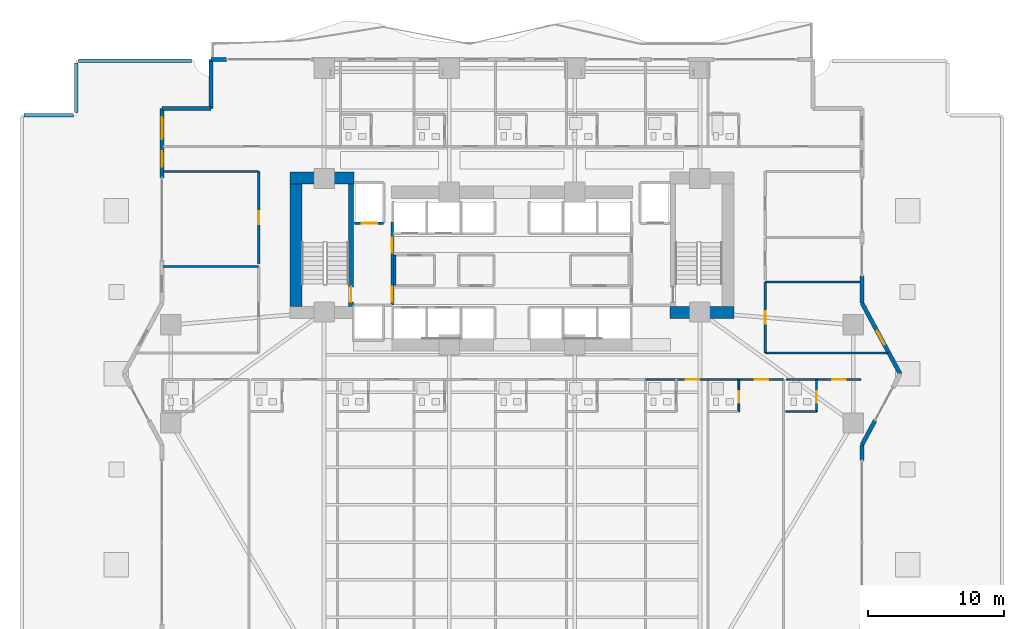
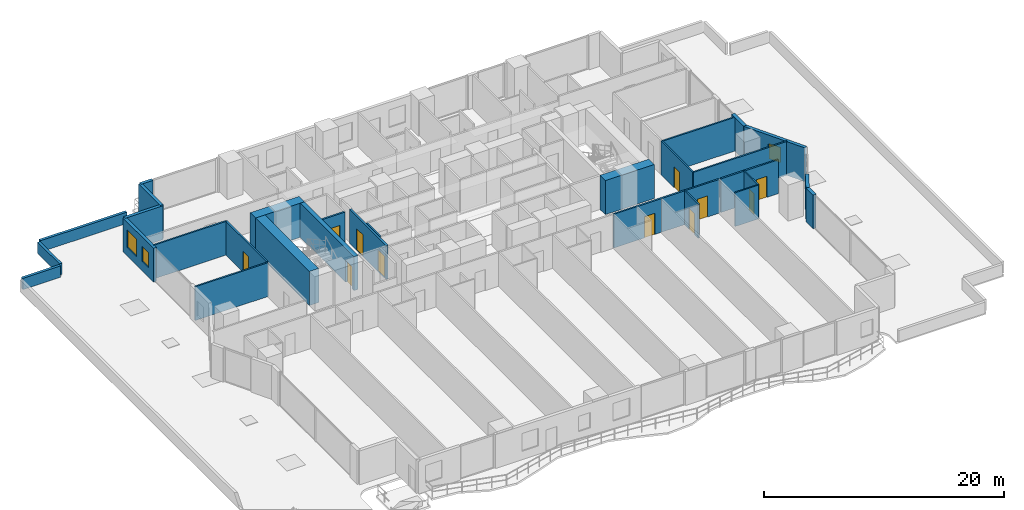
# One storey, part 22 of 30: 30 walls, 11 doors, 3 windows, 14 openings.
"""IFC4 building model written with IfcOpenShell, lengths in metres."""

from ifc_helpers import new_model, si_unit, direction, frame, frame_2d, origin, place, context, subcontext, project, spatial, rectangle, extrude, material, layer, layer_set, type_object, element, fill, save


model = new_model("IFC4")

# Units and contexts
model_context = context("Model", 3, precision=1e-05, world=origin(), true_north=direction((0.0, 1.0)))
body_context = subcontext(model_context, "Body", "Model", "MODEL_VIEW")
ifc_project = project(units=[si_unit("LENGTHUNIT", "METRE"), si_unit("AREAUNIT", "SQUARE_METRE"), si_unit("VOLUMEUNIT", "CUBIC_METRE"), si_unit("PLANEANGLEUNIT", "RADIAN"), si_unit("MASSUNIT", "GRAM", prefix="KILO")], contexts=[model_context])

# Site, building, storey
site_placement = place(None, origin())
site = spatial("IfcSite", under=ifc_project, at=site_placement, CompositionType="ELEMENT")
building_placement = place(site_placement, origin())
building = spatial("IfcBuilding", under=site, at=building_placement, Name="Zuhayl Quay Hotel", CompositionType="ELEMENT")
storey_placement = place(building_placement, frame((0.0, 0.0, 27.60009765625)))
storey = spatial("IfcBuildingStorey", under=building, at=storey_placement, Name="L05", CompositionType="ELEMENT", Elevation=27.60009765625)

# Walls
ifc_material_1 = material(Name="Concrete C70/85", Category="concrete")
ifc_layer_1 = layer(ifc_material_1, 0.89990234375, Name="Concrete C70/85", Category="concrete")
ifc_layer_set_1 = layer_set([ifc_layer_1], Name="Concrete C70/85")
wall_type_1 = type_object("IfcWallType", Name="WL_CORE_900", PredefinedType="SHEAR", material=ifc_layer_set_1)
wall_1_placement = place(storey_placement, frame((-16.31005859375, 14.3798828125, 0.0), z_axis=(0.0, 0.0, 1.0), x_axis=(1.0, 0.0, 0.0)))
element("IfcWall", 1, at=wall_1_placement, inside=storey, type_object=wall_type_1, Name="L05 Core Shear Wall CW_NW", PredefinedType="SHEAR", context=body_context, shape_type="SweptSolid", body=[
    extrude(rectangle(XDim=4.7099609375, YDim=0.89990234375, at=frame_2d((2.35498046875, 0.0))), origin(), (0.0, 0.0, 1.0), 3.4599609375),
])
wall_2_placement = place(storey_placement, frame((-15.860107421875, 4.969970703125, 0.0), z_axis=(0.0, 0.0, 1.0), x_axis=(0.0, 1.0, 0.0)))
element("IfcWall", 2, at=wall_2_placement, inside=storey, type_object=wall_type_1, Name="L05 Core Shear Wall CW_W", PredefinedType="SHEAR", context=body_context, shape_type="SweptSolid", body=[
    extrude(rectangle(XDim=8.9599609375, YDim=0.89990234375, at=frame_2d((4.47998046875, 0.0))), origin(), (0.0, 0.0, 1.0), 3.4599609375),
])
wall_3_placement = place(storey_placement, frame((11.60009765625, 4.52001953125, 0.0), z_axis=(0.0, 0.0, 1.0), x_axis=(1.0, 0.0, 0.0)))
element("IfcWall", 3, at=wall_3_placement, inside=storey, type_object=wall_type_1, Name="L05 Core Shear Wall CW_SE", PredefinedType="SHEAR", context=body_context, shape_type="SweptSolid", body=[
    extrude(rectangle(XDim=4.7099609375, YDim=0.89990234375, at=frame_2d((2.35498046875, 0.0))), origin(), (0.0, 0.0, 1.0), 3.4599609375),
])

# Wall, openings, windows
ifc_material_2 = material(Name="Precast concrete C45/55", Category="concrete")
ifc_layer_2 = layer(ifc_material_2, 0.300048828125, Name="Precast concrete C45/55", Category="concrete")
ifc_layer_set_2 = layer_set([ifc_layer_2], Name="Precast concrete C45/55")
wall_type_2 = type_object("IfcWallType", Name="WL_EXT_300", PredefinedType="STANDARD", material=ifc_layer_set_2)
wall_4_placement = place(storey_placement, frame((-25.699951171875, 14.39990234375, 0.0), z_axis=(0.0, 0.0, 1.0), x_axis=(0.0, 1.0, 0.0)))
wall_4 = element("IfcWall", 4, at=wall_4_placement, inside=storey, type_object=wall_type_2, Name="L05 Exterior Precast Wall ENV_L05_E05_EW2", PredefinedType="STANDARD", context=body_context, shape_type="SweptSolid", body=[
    extrude(rectangle(XDim=5.10009765625, YDim=0.300048828125, at=frame_2d((2.550048828125, 0.0))), origin(), (0.0, 0.0, 1.0), 3.429931640625),
])
opening_1_placement = place(wall_4_placement, frame((0.800048828125, 0.0, 0.949951171875)))
opening_1 = element("IfcOpeningElement", 5, at=opening_1_placement, cuts=wall_4, Name="Opening W01N", PredefinedType="OPENING", context=body_context, shape_type="SweptSolid", body=[
    extrude(rectangle(XDim=1.14990234375, YDim=1.550048828125, at=frame_2d((0.574951171875, 0.77490234375))), frame((0.0, 0.159912109375, 0.0), z_axis=(0.0, -1.0, 0.0), x_axis=(1.0, 0.0, 0.0)), (0.0, 0.0, 1.0), 0.320068359375),
])
opening_2_placement = place(wall_4_placement, frame((2.840087890625, 0.0, 0.85009765625)))
opening_2 = element("IfcOpeningElement", 6, at=opening_2_placement, cuts=wall_4, Name="Opening W01", PredefinedType="OPENING", context=body_context, shape_type="SweptSolid", body=[
    extrude(rectangle(XDim=1.60009765625, YDim=1.800048828125, at=frame_2d((0.800048828125, 0.89990234375))), frame((0.0, 0.159912109375, 0.0), z_axis=(0.0, -1.0, 0.0), x_axis=(1.0, 0.0, 0.0)), (0.0, 0.0, 1.0), 0.320068359375),
])
ifc_material_3 = material(Name="Dark Ceramic-Fritted Solar Glass", Category="glass")
window_type_1 = type_object("IfcWindowType", Name="WN_NOTCH_1350", PartitioningType="SINGLE_PANEL", PredefinedType="WINDOW", material=ifc_material_3)
window_1_placement = place(opening_1_placement, origin())
window_1 = element("IfcWindow", 7, at=window_1_placement, inside=storey, type_object=window_type_1, Name="L05 Operable Facade Window 2-1", OverallHeight=1.550048828125, OverallWidth=1.14990234375, PartitioningType="SINGLE_PANEL", PredefinedType="WINDOW", context=body_context, shape_type="SweptSolid", body=[
    extrude(rectangle(XDim=1.14990234375, YDim=1.550048828125, at=frame_2d((0.574951171875, 0.77490234375))), frame((0.0, 0.030029296875, 0.0), z_axis=(0.0, -1.0, 0.0), x_axis=(1.0, 0.0, 0.0)), (0.0, 0.0, 1.0), 0.06005859375),
])
fill(opening_1, window_1)
window_type_2 = type_object("IfcWindowType", Name="WN_OPERABLE_1600", PartitioningType="DOUBLE_PANEL_VERTICAL", PredefinedType="WINDOW", material=ifc_material_3)
window_2_placement = place(opening_2_placement, origin())
window_2 = element("IfcWindow", 8, at=window_2_placement, inside=storey, type_object=window_type_2, Name="L05 Operable Facade Window 2-2", OverallHeight=1.800048828125, OverallWidth=1.60009765625, PartitioningType="SINGLE_PANEL", PredefinedType="WINDOW", context=body_context, shape_type="SweptSolid", body=[
    extrude(rectangle(XDim=1.60009765625, YDim=1.800048828125, at=frame_2d((0.800048828125, 0.89990234375))), frame((0.0, 0.030029296875, 0.0), z_axis=(0.0, -1.0, 0.0), x_axis=(1.0, 0.0, 0.0)), (0.0, 0.0, 1.0), 0.06005859375),
])
fill(opening_2, window_2)

# Walls
wall_5_placement = place(storey_placement, frame((-25.699951171875, 19.5, 0.0), z_axis=(0.0, 0.0, 1.0), x_axis=(1.0, 0.0, 0.0)))
element("IfcWall", 9, at=wall_5_placement, inside=storey, type_object=wall_type_2, Name="L05 Exterior Precast Wall ENV_L05_EW06", PredefinedType="STANDARD", context=body_context, shape_type="SweptSolid", body=[
    extrude(rectangle(XDim=3.599853515625, YDim=0.300048828125, at=frame_2d((1.7998046875, 0.0))), origin(), (0.0, 0.0, 1.0), 3.429931640625),
])
wall_6_placement = place(storey_placement, frame((-22.10009765625, 19.5, 0.0), z_axis=(0.0, 0.0, 1.0), x_axis=(0.0, 1.0, 0.0)))
element("IfcWall", 10, at=wall_6_placement, inside=storey, type_object=wall_type_2, Name="L05 Exterior Precast Wall ENV_L05_EW07", PredefinedType="STANDARD", context=body_context, shape_type="SweptSolid", body=[
    extrude(rectangle(XDim=3.60009765625, YDim=0.300048828125, at=frame_2d((1.800048828125, 0.0))), origin(), (0.0, 0.0, 1.0), 3.429931640625),
])
wall_7_placement = place(storey_placement, frame((-22.10009765625, 23.10009765625, 0.0), z_axis=(0.0, 0.0, 1.0), x_axis=(1.0, 0.0, 0.0)))
element("IfcWall", 11, at=wall_7_placement, inside=storey, type_object=wall_type_2, Name="L05 Exterior Precast Wall ENV_L05_N_EW1", PredefinedType="STANDARD", context=body_context, shape_type="SweptSolid", body=[
    extrude(rectangle(XDim=1.150146484375, YDim=0.300048828125, at=frame_2d((0.5751953125, 0.0))), origin(), (0.0, 0.0, 1.0), 3.429931640625),
])
wall_8_placement = place(storey_placement, frame((25.699951171875, 7.199951171875, 0.0), z_axis=(0.0, 0.0, 1.0), x_axis=(0.0, -1.0, 0.0)))
element("IfcWall", 12, at=wall_8_placement, inside=storey, type_object=wall_type_2, Name="L05 Exterior Precast Wall ENV_L05_E11_EW3", PredefinedType="STANDARD", context=body_context, shape_type="SweptSolid", body=[
    extrude(rectangle(XDim=2.0, YDim=0.300048828125, at=frame_2d((1.0, 0.0))), origin(), (0.0, 0.0, 1.0), 3.429931640625),
])

# Wall, opening, window
wall_9_placement = place(storey_placement, frame((25.699951171875, 5.199951171875, 0.0), z_axis=(0.0, 0.0, 1.0), x_axis=(0.474109683532, -0.880465790352, 0.0)))
wall_9 = element("IfcWall", 13, at=wall_9_placement, inside=storey, type_object=wall_type_2, Name="L05 Exterior Precast Wall ENV_L05_E12_EW1", PredefinedType="STANDARD", context=body_context, shape_type="SweptSolid", body=[
    extrude(rectangle(XDim=5.906005859375, YDim=0.300048828125, at=frame_2d((2.953125, 0.0))), origin(), (0.0, 0.0, 1.0), 3.429931640625),
])
opening_3_placement = place(wall_9_placement, frame((2.32373046875, 0.0, 0.949951171875)))
opening_3 = element("IfcOpeningElement", 14, at=opening_3_placement, cuts=wall_9, Name="Opening W01N", PredefinedType="OPENING", context=body_context, shape_type="SweptSolid", body=[
    extrude(rectangle(XDim=1.14990234375, YDim=1.550048828125, at=frame_2d((0.574951171875, 0.77490234375))), frame((0.0, 0.159912109375, 0.0), z_axis=(0.0, -1.0, 0.0), x_axis=(1.0, 0.0, 0.0)), (0.0, 0.0, 1.0), 0.320068359375),
])
window_3_placement = place(opening_3_placement, origin())
window_3 = element("IfcWindow", 15, at=window_3_placement, inside=storey, type_object=window_type_1, Name="L05 Operable Facade Window 1-1", OverallHeight=1.550048828125, OverallWidth=1.14990234375, PartitioningType="SINGLE_PANEL", PredefinedType="WINDOW", context=body_context, shape_type="SweptSolid", body=[
    extrude(rectangle(XDim=1.14990234375, YDim=1.550048828125, at=frame_2d((0.574951171875, 0.77490234375))), frame((0.0, 0.030029296875, 0.0), z_axis=(0.0, -1.0, 0.0), x_axis=(1.0, 0.0, 0.0)), (0.0, 0.0, 1.0), 0.06005859375),
])
fill(opening_3, window_3)

# Walls
wall_10_placement = place(storey_placement, frame((26.657958984375, -3.4208984375, 0.0), z_axis=(0.0, 0.0, 1.0), x_axis=(-0.474121438562, -0.88045946045, 0.0)))
element("IfcWall", 16, at=wall_10_placement, inside=storey, type_object=wall_type_2, Name="L05 Exterior Precast Wall ENV_L05_E13_EW2", PredefinedType="STANDARD", context=body_context, shape_type="SweptSolid", body=[
    extrude(rectangle(XDim=2.0205078125, YDim=0.300048828125, at=frame_2d((1.01025390625, 0.0))), origin(), (0.0, 0.0, 1.0), 3.429931640625),
])
wall_11_placement = place(storey_placement, frame((25.699951171875, -5.199951171875, 0.0), z_axis=(0.0, 0.0, 1.0), x_axis=(0.0, -1.0, 0.0)))
element("IfcWall", 17, at=wall_11_placement, inside=storey, type_object=wall_type_2, Name="L05 Exterior Precast Wall ENV_L05_E14_EW1", PredefinedType="STANDARD", context=body_context, shape_type="SweptSolid", body=[
    extrude(rectangle(XDim=1.150146484375, YDim=0.300048828125, at=frame_2d((0.5751953125, 0.0))), origin(), (0.0, 0.0, 1.0), 3.429931640625),
])
ifc_layer_3 = layer(ifc_material_2, 0.25, Name="Precast concrete C45/55", Category="concrete")
ifc_layer_set_3 = layer_set([ifc_layer_3], Name="Precast concrete C45/55")
wall_type_3 = type_object("IfcWallType", Name="WL_PARAPET_250", PredefinedType="PARAPET", material=ifc_layer_set_3)
for number, where, z_axis, x_axis, name in (
    (18, (-35.820068359375, 19.0, 0.0), (0.0, 0.0, 1.0), (1.0, 0.0, 0.0), "L05 Setback Roof Parapet 1-2"),
    (19, (-32.0, 19.179931640625, 0.0), (0.0, 0.0, 1.0), (0.0, 1.0, 0.0), "L05 Setback Roof Parapet 1-3"),
):
    element("IfcWall", number, at=place(storey_placement, frame(where, z_axis=z_axis, x_axis=x_axis)), inside=storey, type_object=wall_type_3, Name=name, PredefinedType="PARAPET", context=body_context, shape_type="SweptSolid", body=[
        extrude(rectangle(XDim=3.64013671875, YDim=0.25, at=frame_2d((1.820068359375, 0.0))), origin(), (0.0, 0.0, 1.0), 1.14990234375),
    ])
wall_12_placement = place(storey_placement, frame((-31.820068359375, 23.0, 0.0), z_axis=(0.0, 0.0, 1.0), x_axis=(1.0, 0.0, 0.0)))
element("IfcWall", 20, at=wall_12_placement, inside=storey, type_object=wall_type_3, Name="L05 Setback Roof Parapet 1-4", PredefinedType="PARAPET", context=body_context, shape_type="SweptSolid", body=[
    extrude(rectangle(XDim=8.294921875, YDim=0.25, at=frame_2d((4.1474609375, 0.0))), origin(), (0.0, 0.0, 1.0), 1.14990234375),
])
ifc_material_4 = material(Name="Acoustic Gypsum Partition STC-58")
ifc_layer_4 = layer(ifc_material_4, 0.14990234375, Name="Acoustic Gypsum Partition STC-58")
ifc_layer_set_4 = layer_set([ifc_layer_4], Name="Acoustic Gypsum Partition STC-58")
wall_type_4 = type_object("IfcWallType", Name="WL_PART_150", PredefinedType="PARTITIONING", material=ifc_layer_set_4)
wall_13_placement = place(storey_placement, frame((-8.610107421875, 6.47998046875, 0.0), z_axis=(0.0, 0.0, 1.0), x_axis=(0.0, 1.0, 0.0)))
element("IfcWall", 21, at=wall_13_placement, inside=storey, type_object=wall_type_4, Name="L05 Partition IW_L05_CORE_HK_W", PredefinedType="PARTITIONING", context=body_context, shape_type="SweptSolid", body=[
    extrude(rectangle(XDim=2.239990234375, YDim=0.14990234375, at=frame_2d((1.1201171875, 0.0))), origin(), (0.0, 0.0, 1.0), 3.429931640625),
])
wall_14_placement = place(storey_placement, frame((18.60009765625, 1.550048828125, 0.0), z_axis=(0.0, 0.0, 1.0), x_axis=(1.0, 0.0, 0.0)))
element("IfcWall", 22, at=wall_14_placement, inside=storey, type_object=wall_type_4, Name="L05 Partition IW_L05_HK_MAIN_S", PredefinedType="PARTITIONING", context=body_context, shape_type="SweptSolid", body=[
    extrude(rectangle(XDim=9.00537109375, YDim=0.14990234375, at=frame_2d((4.502685546875, 0.0))), origin(), (0.0, 0.0, 1.0), 3.429931640625),
])
for number, where, z_axis, x_axis, name in (
    (23, (18.60009765625, 6.75, 0.0), (0.0, 0.0, 1.0), (1.0, 0.0, 0.0), "L05 Partition IW_L05_HK_MAIN_N"),
    (24, (-25.639892578125, 7.89990234375, 0.0), (0.0, 0.0, 1.0), (1.0, 0.0, 0.0), "L05 Partition IW_L05_WPROW_1_N"),
    (25, (-25.639892578125, 14.85009765625, 0.0), (0.0, 0.0, 1.0), (1.0, 0.0, 0.0), "L05 Partition IW_L05_WPROW_2_N"),
):
    element("IfcWall", number, at=place(storey_placement, frame(where, z_axis=z_axis, x_axis=x_axis)), inside=storey, type_object=wall_type_4, Name=name, PredefinedType="PARTITIONING", context=body_context, shape_type="SweptSolid", body=[
        extrude(rectangle(XDim=7.039794921875, YDim=0.14990234375, at=frame_2d((3.52001953125, 0.0))), origin(), (0.0, 0.0, 1.0), 3.429931640625),
    ])

# Wall, opening, door
ifc_layer_5 = layer(ifc_material_4, 0.159912109375, Name="Acoustic Gypsum Partition STC-58")
ifc_layer_set_5 = layer_set([ifc_layer_5], Name="Acoustic Gypsum Partition STC-58")
wall_type_5 = type_object("IfcWallType", Name="WL_PART_CORR_160", PredefinedType="PARTITIONING", material=ifc_layer_set_5)
wall_15_placement = place(storey_placement, frame((9.800048828125, -0.39990234375, 0.0), z_axis=(0.0, 0.0, 1.0), x_axis=(1.0, 0.0, 0.0)))
wall_15 = element("IfcWall", 26, at=wall_15_placement, inside=storey, type_object=wall_type_5, Name="L05 Partition IW_L05_SU06_COR", PredefinedType="PARTITIONING", context=body_context, shape_type="SweptSolid", body=[
    extrude(rectangle(XDim=4.599853515625, YDim=0.159912109375, at=frame_2d((2.2998046875, 0.0))), origin(), (0.0, 0.0, 1.0), 3.429931640625),
])
opening_4_placement = place(wall_15_placement, frame((2.949951171875, 0.0, 0.0)))
opening_4 = element("IfcOpeningElement", 27, at=opening_4_placement, cuts=wall_15, Name="Opening D03L", PredefinedType="OPENING", context=body_context, shape_type="SweptSolid", body=[
    extrude(rectangle(XDim=1.0, YDim=2.14990234375, at=frame_2d((0.5, 1.074951171875))), frame((0.0, 0.08984375, 0.0), z_axis=(0.0, -1.0, 0.0), x_axis=(1.0, 0.0, 0.0)), (0.0, 0.0, 1.0), 0.179931640625),
])
ifc_material_5 = material(Name="Solid Walnut Acoustic Fire Door")
door_type_1 = type_object("IfcDoorType", Name="DR_SUITE_1000", OperationType="NOTDEFINED", PredefinedType="DOOR", material=ifc_material_5)
door_1_placement = place(opening_4_placement, origin())
door_1 = element("IfcDoor", 28, at=door_1_placement, inside=storey, type_object=door_type_1, Name="L05 Premier Twin Junior Suite L05-06 Entrance Door", OperationType="SINGLE_SWING_RIGHT", OverallHeight=2.14990234375, OverallWidth=1.0, PredefinedType="DOOR", context=body_context, shape_type="SweptSolid", body=[
    extrude(rectangle(XDim=1.0, YDim=2.14990234375, at=frame_2d((0.5, 1.074951171875))), frame((0.0, 0.02490234375, 0.0), z_axis=(0.0, -1.0, 0.0), x_axis=(1.0, 0.0, 0.0)), (0.0, 0.0, 1.0), 0.050048828125),
])
fill(opening_4, door_1)

wall_16_placement = place(storey_placement, frame((14.39990234375, -0.39990234375, 0.0), z_axis=(0.0, 0.0, 1.0), x_axis=(1.0, 0.0, 0.0)))
wall_16 = element("IfcWall", 29, at=wall_16_placement, inside=storey, type_object=wall_type_5, Name="L05 Partition IW_L05_SU07A_COR", PredefinedType="PARTITIONING", context=body_context, shape_type="SweptSolid", body=[
    extrude(rectangle(XDim=5.5400390625, YDim=0.159912109375, at=frame_2d((2.77001953125, 0.0))), origin(), (0.0, 0.0, 1.0), 3.429931640625),
])
opening_5_placement = place(wall_16_placement, frame((3.419921875, 0.0, 0.0)))
opening_5 = element("IfcOpeningElement", 30, at=opening_5_placement, cuts=wall_16, Name="Opening D03L", PredefinedType="OPENING", context=body_context, shape_type="SweptSolid", body=[
    extrude(rectangle(XDim=1.0, YDim=2.14990234375, at=frame_2d((0.5, 1.074951171875))), frame((0.0, 0.08984375, 0.0), z_axis=(0.0, -1.0, 0.0), x_axis=(1.0, 0.0, 0.0)), (0.0, 0.0, 1.0), 0.179931640625),
])
door_2_placement = place(opening_5_placement, origin())
door_2 = element("IfcDoor", 31, at=door_2_placement, inside=storey, type_object=door_type_1, Name="L05 Premier Twin Junior Suite L05-07A Entrance Door", OperationType="SINGLE_SWING_RIGHT", OverallHeight=2.14990234375, OverallWidth=1.0, PredefinedType="DOOR", context=body_context, shape_type="SweptSolid", body=[
    extrude(rectangle(XDim=1.0, YDim=2.14990234375, at=frame_2d((0.5, 1.074951171875))), frame((0.0, 0.02490234375, 0.0), z_axis=(0.0, -1.0, 0.0), x_axis=(1.0, 0.0, 0.0)), (0.0, 0.0, 1.0), 0.050048828125),
])
fill(opening_5, door_2)

wall_17_placement = place(storey_placement, frame((20.10009765625, -0.39990234375, 0.0), z_axis=(0.0, 0.0, 1.0), x_axis=(1.0, 0.0, 0.0)))
wall_17 = element("IfcWall", 32, at=wall_17_placement, inside=storey, type_object=wall_type_5, Name="L05 Partition IW_L05_SU07B_COR", PredefinedType="PARTITIONING", context=body_context, shape_type="SweptSolid", body=[
    extrude(rectangle(XDim=5.539794921875, YDim=0.159912109375, at=frame_2d((2.77001953125, 0.0))), origin(), (0.0, 0.0, 1.0), 3.429931640625),
])
opening_6_placement = place(wall_17_placement, frame((3.419921875, 0.0, 0.0)))
opening_6 = element("IfcOpeningElement", 33, at=opening_6_placement, cuts=wall_17, Name="Opening D03L", PredefinedType="OPENING", context=body_context, shape_type="SweptSolid", body=[
    extrude(rectangle(XDim=1.0, YDim=2.14990234375, at=frame_2d((0.5, 1.074951171875))), frame((0.0, 0.08984375, 0.0), z_axis=(0.0, -1.0, 0.0), x_axis=(1.0, 0.0, 0.0)), (0.0, 0.0, 1.0), 0.179931640625),
])
door_3_placement = place(opening_6_placement, origin())
door_3 = element("IfcDoor", 34, at=door_3_placement, inside=storey, type_object=door_type_1, Name="L05 Premier Twin Junior Suite L05-07B Entrance Door", OperationType="SINGLE_SWING_RIGHT", OverallHeight=2.14990234375, OverallWidth=1.0, PredefinedType="DOOR", context=body_context, shape_type="SweptSolid", body=[
    extrude(rectangle(XDim=1.0, YDim=2.14990234375, at=frame_2d((0.5, 1.074951171875))), frame((0.0, 0.02490234375, 0.0), z_axis=(0.0, -1.0, 0.0), x_axis=(1.0, 0.0, 0.0)), (0.0, 0.0, 1.0), 0.050048828125),
])
fill(opening_6, door_3)

wall_18_placement = place(storey_placement, frame((18.60009765625, 1.550048828125, 0.0), z_axis=(0.0, 0.0, 1.0), x_axis=(0.0, 1.0, 0.0)))
wall_18 = element("IfcWall", 35, at=wall_18_placement, inside=storey, type_object=wall_type_5, Name="L05 Partition IW_L05_HK_MAIN_W", PredefinedType="PARTITIONING", context=body_context, shape_type="SweptSolid", body=[
    extrude(rectangle(XDim=5.199951171875, YDim=0.159912109375, at=frame_2d((2.60009765625, 0.0))), origin(), (0.0, 0.0, 1.0), 3.429931640625),
])
opening_7_placement = place(wall_18_placement, frame((2.139892578125, 0.0, 0.0)))
opening_7 = element("IfcOpeningElement", 36, at=opening_7_placement, cuts=wall_18, Name="Opening D05", PredefinedType="OPENING", context=body_context, shape_type="SweptSolid", body=[
    extrude(rectangle(XDim=0.919921875, YDim=2.1201171875, at=frame_2d((0.4599609375, 1.06005859375))), frame((0.0, 0.08984375, 0.0), z_axis=(0.0, -1.0, 0.0), x_axis=(1.0, 0.0, 0.0)), (0.0, 0.0, 1.0), 0.179931640625),
])
door_type_2 = type_object("IfcDoorType", Name="DR_INT_950", OperationType="NOTDEFINED", PredefinedType="DOOR", material=ifc_material_5)
door_4_placement = place(opening_7_placement, origin())
door_4 = element("IfcDoor", 37, at=door_4_placement, inside=storey, type_object=door_type_2, Name="L05 Housekeeping and Linen Room Door", OperationType="SINGLE_SWING_LEFT", OverallHeight=2.1201171875, OverallWidth=0.919921875, PredefinedType="DOOR", context=body_context, shape_type="SweptSolid", body=[
    extrude(rectangle(XDim=0.919921875, YDim=2.1201171875, at=frame_2d((0.4599609375, 1.06005859375))), frame((0.0, 0.02490234375, 0.0), z_axis=(0.0, -1.0, 0.0), x_axis=(1.0, 0.0, 0.0)), (0.0, 0.0, 1.0), 0.050048828125),
])
fill(opening_7, door_4)

wall_19_placement = place(storey_placement, frame((-18.60009765625, 8.06005859375, 0.0), z_axis=(0.0, 0.0, 1.0), x_axis=(0.0, 1.0, 0.0)))
wall_19 = element("IfcWall", 38, at=wall_19_placement, inside=storey, type_object=wall_type_5, Name="L05 Partition IW_L05_WPROW_2_E", PredefinedType="PARTITIONING", context=body_context, shape_type="SweptSolid", body=[
    extrude(rectangle(XDim=6.7900390625, YDim=0.159912109375, at=frame_2d((3.39501953125, 0.0))), origin(), (0.0, 0.0, 1.0), 3.429931640625),
])
opening_8_placement = place(wall_19_placement, frame((2.919921875, 0.0, 0.0)))
opening_8 = element("IfcOpeningElement", 39, at=opening_8_placement, cuts=wall_19, Name="Opening D03", PredefinedType="OPENING", context=body_context, shape_type="SweptSolid", body=[
    extrude(rectangle(XDim=0.949951171875, YDim=2.14990234375, at=frame_2d((0.47509765625, 1.074951171875))), frame((0.0, 0.08984375, 0.0), z_axis=(0.0, -1.0, 0.0), x_axis=(1.0, 0.0, 0.0)), (0.0, 0.0, 1.0), 0.179931640625),
])
door_type_3 = type_object("IfcDoorType", Name="DR_SUITE_950", OperationType="NOTDEFINED", PredefinedType="DOOR", material=ifc_material_5)
door_5_placement = place(opening_8_placement, origin())
door_5 = element("IfcDoor", 40, at=door_5_placement, inside=storey, type_object=door_type_3, Name="L05 Sunset Lounge L05 Door", OperationType="SINGLE_SWING_LEFT", OverallHeight=2.14990234375, OverallWidth=0.949951171875, PredefinedType="DOOR", context=body_context, shape_type="SweptSolid", body=[
    extrude(rectangle(XDim=0.949951171875, YDim=2.14990234375, at=frame_2d((0.47509765625, 1.074951171875))), frame((0.0, 0.02490234375, 0.0), z_axis=(0.0, -1.0, 0.0), x_axis=(1.0, 0.0, 0.0)), (0.0, 0.0, 1.0), 0.050048828125),
])
fill(opening_8, door_5)

ifc_material_6 = material(Name="Moisture-Resistant Sanitarychase Gypsum")
ifc_layer_6 = layer(ifc_material_6, 0.135009765625, Name="Moisture-Resistant Sanitarychase Gypsum")
ifc_layer_set_6 = layer_set([ifc_layer_6], Name="Moisture-Resistant Sanitarychase Gypsum")
wall_type_6 = type_object("IfcWallType", Name="WL_PART_PLUMB_150", PredefinedType="PLUMBINGWALL", material=ifc_layer_set_6)
wall_20_placement = place(storey_placement, frame((16.659912109375, -2.760009765625, 0.0), z_axis=(0.0, 0.0, 1.0), x_axis=(0.0, 1.0, 0.0)))
wall_20 = element("IfcWall", 41, at=wall_20_placement, inside=storey, type_object=wall_type_6, Name="L05 Partition IW_L05_SU07A_BE", PredefinedType="PLUMBINGWALL", context=body_context, shape_type="SweptSolid", body=[
    extrude(rectangle(XDim=2.360107421875, YDim=0.135009765625, at=frame_2d((1.18017578125, 0.0))), origin(), (0.0, 0.0, 1.0), 3.429931640625),
])
opening_9_placement = place(wall_20_placement, frame((0.64990234375, 0.0, 0.0)))
opening_9 = element("IfcOpeningElement", 42, at=opening_9_placement, cuts=wall_20, Name="Opening D04", PredefinedType="OPENING", context=body_context, shape_type="SweptSolid", body=[
    extrude(rectangle(XDim=0.85009765625, YDim=2.10009765625, at=frame_2d((0.425048828125, 1.050048828125))), frame((0.0, 0.077392578125, 0.0), z_axis=(0.0, -1.0, 0.0), x_axis=(1.0, 0.0, 0.0)), (0.0, 0.0, 1.0), 0.155029296875),
])
ifc_material_7 = material(Name="Moisture-Resistant Walnut Veneer")
door_type_4 = type_object("IfcDoorType", Name="DR_BATH_850", OperationType="NOTDEFINED", PredefinedType="DOOR", material=ifc_material_7)
door_6_placement = place(opening_9_placement, origin())
door_6 = element("IfcDoor", 43, at=door_6_placement, inside=storey, type_object=door_type_4, Name="L05 Premier Twin Junior Suite L05-07A En-Suite Door", OperationType="SINGLE_SWING_LEFT", OverallHeight=2.10009765625, OverallWidth=0.85009765625, PredefinedType="DOOR", context=body_context, shape_type="SweptSolid", body=[
    extrude(rectangle(XDim=0.85009765625, YDim=2.10009765625, at=frame_2d((0.425048828125, 1.050048828125))), frame((0.0, 0.02490234375, 0.0), z_axis=(0.0, -1.0, 0.0), x_axis=(1.0, 0.0, 0.0)), (0.0, 0.0, 1.0), 0.050048828125),
])
fill(opening_9, door_6)

wall_21_placement = place(storey_placement, frame((22.360107421875, -2.760009765625, 0.0), z_axis=(0.0, 0.0, 1.0), x_axis=(0.0, 1.0, 0.0)))
wall_21 = element("IfcWall", 44, at=wall_21_placement, inside=storey, type_object=wall_type_6, Name="L05 Partition IW_L05_SU07B_BE", PredefinedType="PLUMBINGWALL", context=body_context, shape_type="SweptSolid", body=[
    extrude(rectangle(XDim=2.360107421875, YDim=0.135009765625, at=frame_2d((1.18017578125, 0.0))), origin(), (0.0, 0.0, 1.0), 3.429931640625),
])
opening_10_placement = place(wall_21_placement, frame((0.64990234375, 0.0, 0.0)))
opening_10 = element("IfcOpeningElement", 45, at=opening_10_placement, cuts=wall_21, Name="Opening D04", PredefinedType="OPENING", context=body_context, shape_type="SweptSolid", body=[
    extrude(rectangle(XDim=0.85009765625, YDim=2.10009765625, at=frame_2d((0.425048828125, 1.050048828125))), frame((0.0, 0.077392578125, 0.0), z_axis=(0.0, -1.0, 0.0), x_axis=(1.0, 0.0, 0.0)), (0.0, 0.0, 1.0), 0.155029296875),
])
door_7_placement = place(opening_10_placement, origin())
door_7 = element("IfcDoor", 46, at=door_7_placement, inside=storey, type_object=door_type_4, Name="L05 Premier Twin Junior Suite L05-07B En-Suite Door", OperationType="SINGLE_SWING_LEFT", OverallHeight=2.10009765625, OverallWidth=0.85009765625, PredefinedType="DOOR", context=body_context, shape_type="SweptSolid", body=[
    extrude(rectangle(XDim=0.85009765625, YDim=2.10009765625, at=frame_2d((0.425048828125, 1.050048828125))), frame((0.0, 0.02490234375, 0.0), z_axis=(0.0, -1.0, 0.0), x_axis=(1.0, 0.0, 0.0)), (0.0, 0.0, 1.0), 0.050048828125),
])
fill(opening_10, door_7)

# Wall
wall_22_placement = place(storey_placement, frame((20.10009765625, -2.760009765625, 0.0), z_axis=(0.0, 0.0, 1.0), x_axis=(1.0, 0.0, 0.0)))
element("IfcWall", 47, at=wall_22_placement, inside=storey, type_object=wall_type_6, Name="L05 Partition IW_L05_SU07B_BS", PredefinedType="PLUMBINGWALL", context=body_context, shape_type="SweptSolid", body=[
    extrude(rectangle(XDim=2.260009765625, YDim=0.135009765625, at=frame_2d((1.1298828125, 0.0))), origin(), (0.0, 0.0, 1.0), 3.429931640625),
])

# Wall, opening, door
ifc_material_8 = material(Name="Gypsum Fireboard Assembly EI-90")
ifc_layer_7 = layer(ifc_material_8, 0.1650390625, Name="Gypsum Fireboard Assembly EI-90")
ifc_layer_set_7 = layer_set([ifc_layer_7], Name="Gypsum Fireboard Assembly EI-90")
wall_type_7 = type_object("IfcWallType", Name="WL_PART_SHAFT_160", PredefinedType="PARTITIONING", material=ifc_layer_set_7)
wall_23_placement = place(storey_placement, frame((-11.580078125, 11.070068359375, 0.0), z_axis=(0.0, 0.0, 1.0), x_axis=(1.0, 0.0, 0.0)))
wall_23 = element("IfcWall", 48, at=wall_23_placement, inside=storey, type_object=wall_type_7, Name="L05 Partition IW_L05_SH_FL1_F", PredefinedType="PARTITIONING", context=body_context, shape_type="SweptSolid", body=[
    extrude(rectangle(XDim=2.16015625, YDim=0.1650390625, at=frame_2d((1.080078125, 0.0))), origin(), (0.0, 0.0, 1.0), 3.429931640625),
])
opening_11_placement = place(wall_23_placement, frame((0.530029296875, 0.0, 0.0)))
opening_11 = element("IfcOpeningElement", 49, at=opening_11_placement, cuts=wall_23, Name="Opening LD2", PredefinedType="OPENING", context=body_context, shape_type="SweptSolid", body=[
    extrude(rectangle(XDim=1.14990234375, YDim=2.25, at=frame_2d((0.574951171875, 1.125))), frame((0.0, 0.092529296875, 0.0), z_axis=(0.0, -1.0, 0.0), x_axis=(1.0, 0.0, 0.0)), (0.0, 0.0, 1.0), 0.18505859375),
])
ifc_material_9 = material(Name="Brushed Stainless Steel", Category="steel")
door_type_5 = type_object("IfcDoorType", Name="DR_LIFT_FF_1100", OperationType="SLIDING_TO_LEFT", PredefinedType="DOOR", material=ifc_material_9)
door_8_placement = place(opening_11_placement, origin())
door_8 = element("IfcDoor", 50, at=door_8_placement, inside=storey, type_object=door_type_5, Name="L05 Lift FL1 Sliding Landing Door", OperationType="SLIDING_TO_LEFT", OverallHeight=2.25, OverallWidth=1.14990234375, PredefinedType="DOOR", context=body_context, shape_type="SweptSolid", body=[
    extrude(rectangle(XDim=1.14990234375, YDim=2.25, at=frame_2d((0.574951171875, 1.125))), frame((0.0, 0.02490234375, 0.0), z_axis=(0.0, -1.0, 0.0), x_axis=(1.0, 0.0, 0.0)), (0.0, 0.0, 1.0), 0.050048828125),
])
fill(opening_11, door_8)

# Wall, openings, doors
ifc_material_10 = material(Name="Gypsum Fireboard Assembly EI-120")
ifc_layer_8 = layer(ifc_material_10, 0.199951171875, Name="Gypsum Fireboard Assembly EI-120")
ifc_layer_set_8 = layer_set([ifc_layer_8], Name="Gypsum Fireboard Assembly EI-120")
wall_type_8 = type_object("IfcWallType", Name="WL_PART_SHAFT_200", PredefinedType="PARTITIONING", material=ifc_layer_set_8)
wall_24_placement = place(storey_placement, frame((-8.800048828125, 5.050048828125, 0.0), z_axis=(0.0, 0.0, 1.0), x_axis=(0.0, 1.0, 0.0)))
wall_24 = element("IfcWall", 51, at=wall_24_placement, inside=storey, type_object=wall_type_8, Name="L05 Partition IW_L05_FSAE_W_E", PredefinedType="PARTITIONING", context=body_context, shape_type="SweptSolid", body=[
    extrude(rectangle(XDim=6.099853515625, YDim=0.199951171875, at=frame_2d((3.0498046875, 0.0))), origin(), (0.0, 0.0, 1.0), 3.429931640625),
])
opening_12_placement = place(wall_24_placement, frame((0.25, 0.0, 0.0)))
opening_12 = element("IfcOpeningElement", 52, at=opening_12_placement, cuts=wall_24, Name="Opening D02", PredefinedType="OPENING", context=body_context, shape_type="SweptSolid", body=[
    extrude(rectangle(XDim=1.10009765625, YDim=2.199951171875, at=frame_2d((0.550048828125, 1.10009765625))), frame((0.0, 0.10986328125, 0.0), z_axis=(0.0, -1.0, 0.0), x_axis=(1.0, 0.0, 0.0)), (0.0, 0.0, 1.0), 0.219970703125),
])
opening_13_placement = place(wall_24_placement, frame((3.85009765625, 0.0, 0.0)))
opening_13 = element("IfcOpeningElement", 53, at=opening_13_placement, cuts=wall_24, Name="Opening D02", PredefinedType="OPENING", context=body_context, shape_type="SweptSolid", body=[
    extrude(rectangle(XDim=1.10009765625, YDim=2.199951171875, at=frame_2d((0.550048828125, 1.10009765625))), frame((0.0, 0.10986328125, 0.0), z_axis=(0.0, -1.0, 0.0), x_axis=(1.0, 0.0, 0.0)), (0.0, 0.0, 1.0), 0.219970703125),
])
ifc_material_11 = material(Name="Steel ASTM A992 Grade 50", Category="steel")
door_type_6 = type_object("IfcDoorType", Name="DR_FIRE_90_1100", OperationType="NOTDEFINED", PredefinedType="DOOR", material=ifc_material_11)
door_9_placement = place(opening_12_placement, origin())
door_9 = element("IfcDoor", 54, at=door_9_placement, inside=storey, type_object=door_type_6, Name="L05 FSAE Lobby West South Entry Door", OperationType="SINGLE_SWING_LEFT", OverallHeight=2.199951171875, OverallWidth=1.10009765625, PredefinedType="DOOR", context=body_context, shape_type="SweptSolid", body=[
    extrude(rectangle(XDim=1.10009765625, YDim=2.199951171875, at=frame_2d((0.550048828125, 1.10009765625))), frame((0.0, 0.02490234375, 0.0), z_axis=(0.0, -1.0, 0.0), x_axis=(1.0, 0.0, 0.0)), (0.0, 0.0, 1.0), 0.050048828125),
])
fill(opening_12, door_9)
door_10_placement = place(opening_13_placement, origin())
door_10 = element("IfcDoor", 55, at=door_10_placement, inside=storey, type_object=door_type_6, Name="L05 FSAE Lobby West North Entry Door", OperationType="SINGLE_SWING_RIGHT", OverallHeight=2.199951171875, OverallWidth=1.10009765625, PredefinedType="DOOR", context=body_context, shape_type="SweptSolid", body=[
    extrude(rectangle(XDim=1.10009765625, YDim=2.199951171875, at=frame_2d((0.550048828125, 1.10009765625))), frame((0.0, 0.02490234375, 0.0), z_axis=(0.0, -1.0, 0.0), x_axis=(1.0, 0.0, 0.0)), (0.0, 0.0, 1.0), 0.050048828125),
])
fill(opening_13, door_10)

# Wall, opening, door
ifc_material_12 = material(Name="Concrete C60/75", Category="concrete")
ifc_layer_9 = layer(ifc_material_12, 0.39990234375, Name="Concrete C60/75", Category="concrete")
ifc_layer_set_9 = layer_set([ifc_layer_9], Name="Concrete C60/75")
wall_type_9 = type_object("IfcWallType", Name="WL_STAIR_400", PredefinedType="SHEAR", material=ifc_layer_set_9)
wall_25_placement = place(storey_placement, frame((-11.820068359375, 4.969970703125, 0.0), z_axis=(0.0, 0.0, 1.0), x_axis=(0.0, 1.0, 0.0)))
wall_25 = element("IfcWall", 56, at=wall_25_placement, inside=storey, type_object=wall_type_9, Name="L05 Core Shear Wall SW_ST1", PredefinedType="SHEAR", context=body_context, shape_type="SweptSolid", body=[
    extrude(rectangle(XDim=8.9599609375, YDim=0.39990234375, at=frame_2d((4.47998046875, 0.0))), origin(), (0.0, 0.0, 1.0), 3.4599609375),
])
opening_14_placement = place(wall_25_placement, frame((0.31005859375, 0.0, 0.0)))
opening_14 = element("IfcOpeningElement", 57, at=opening_14_placement, cuts=wall_25, Name="Opening D01", PredefinedType="OPENING", context=body_context, shape_type="SweptSolid", body=[
    extrude(rectangle(XDim=1.1201171875, YDim=2.219970703125, at=frame_2d((0.56005859375, 1.10986328125))), frame((0.0, 0.2099609375, 0.0), z_axis=(0.0, -1.0, 0.0), x_axis=(1.0, 0.0, 0.0)), (0.0, 0.0, 1.0), 0.419921875),
])
door_type_7 = type_object("IfcDoorType", Name="DR_STAIR_90_1100", OperationType="NOTDEFINED", PredefinedType="DOOR", material=ifc_material_11)
door_11_placement = place(opening_14_placement, origin())
door_11 = element("IfcDoor", 58, at=door_11_placement, inside=storey, type_object=door_type_7, Name="L05 Smokeproof Exit Stair ST1 Door", OperationType="SINGLE_SWING_LEFT", OverallHeight=2.219970703125, OverallWidth=1.1201171875, PredefinedType="DOOR", context=body_context, shape_type="SweptSolid", body=[
    extrude(rectangle(XDim=1.1201171875, YDim=2.219970703125, at=frame_2d((0.56005859375, 1.10986328125))), frame((0.0, 0.02490234375, 0.0), z_axis=(0.0, -1.0, 0.0), x_axis=(1.0, 0.0, 0.0)), (0.0, 0.0, 1.0), 0.050048828125),
])
fill(opening_14, door_11)

save(model, "model.ifc")
